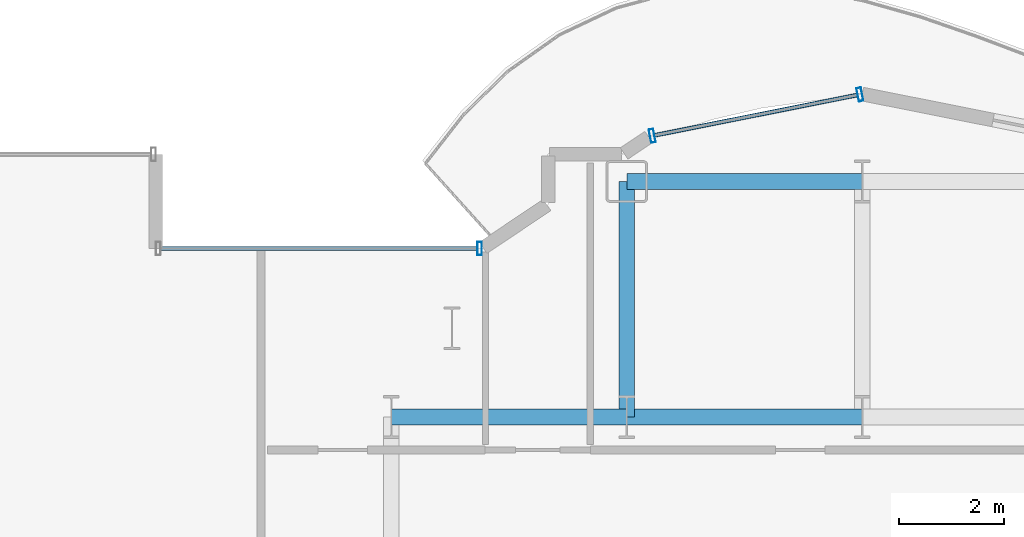
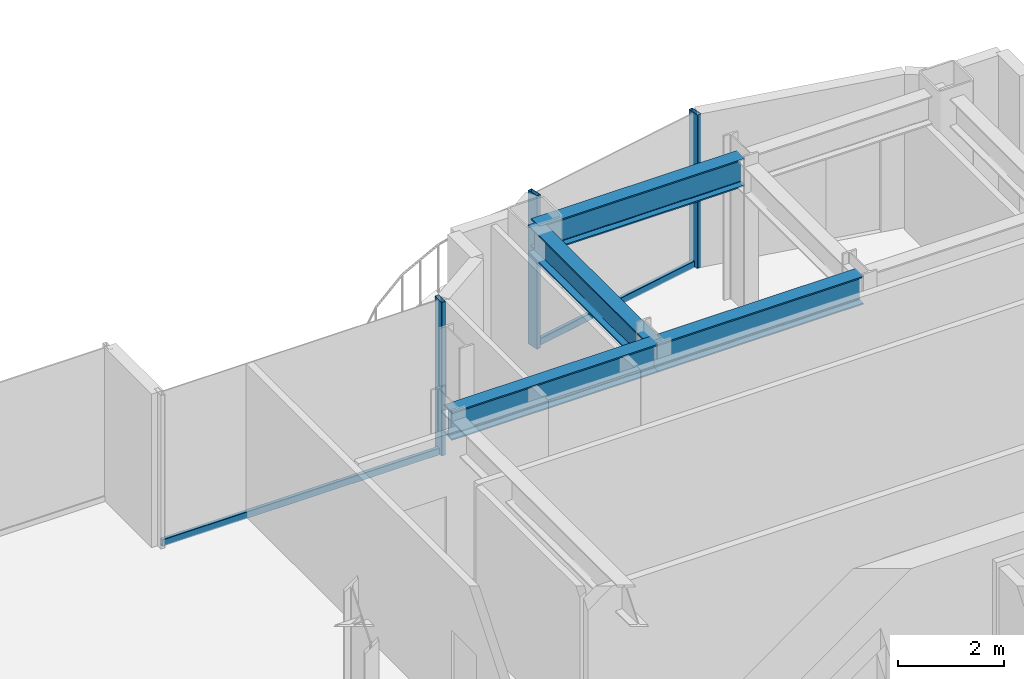
# One storey, part 14 of 26: 5 members, 4 beams, 2 elements without a shape of their own.
"""IFC4 building model written with IfcOpenShell, lengths in metres."""

from ifc_helpers import new_model, si_unit, direction, frame, origin, origin_2d, place, context, subcontext, project, spatial, hollow_rectangle, i_section, extrude, source, transform, mapped, material, layer, layer_set, material_profile, profile_set, type_object, element, aggregate, save


model = new_model("IFC4")

# Units and contexts
model_context = context("Model", 3, precision=1e-05, world=origin(), true_north=direction((0.0, 1.0)))
body_context = subcontext(model_context, "Body", "Model", "MODEL_VIEW")
ifc_project = project(units=[si_unit("LENGTHUNIT", "METRE"), si_unit("AREAUNIT", "SQUARE_METRE"), si_unit("VOLUMEUNIT", "CUBIC_METRE"), si_unit("PLANEANGLEUNIT", "RADIAN"), si_unit("MASSUNIT", "GRAM", prefix="KILO")], contexts=[model_context])

# Site, building, storey
site_placement = place(None, origin())
site = spatial("IfcSite", under=ifc_project, at=site_placement, CompositionType="ELEMENT")
building_placement = place(site_placement, origin())
building = spatial("IfcBuilding", under=site, at=building_placement, Name="Nefas-Gora Pilgrimage Tower", CompositionType="ELEMENT")
storey_placement = place(building_placement, frame((0.0, 0.0, 171.60009765625)))
storey = spatial("IfcBuildingStorey", under=building, at=storey_placement, Name="L42", CompositionType="ELEMENT", Elevation=171.60009765625)

# Beams
ifc_material_1 = material(Name="Steel S355", Category="steel")
ifc_material_profile_1 = material_profile(ifc_material_1, i_section(OverallWidth=0.300048828125, OverallDepth=0.64990234375, WebThickness=0.01611328125, FlangeThickness=0.031005859375, FilletRadius=0.027099609375, at=origin_2d()), Name="HEB 650")
ifc_profile_set_1 = profile_set([ifc_material_profile_1], Name="Steel S355")
beam_type = type_object("IfcBeamType", Name="BM-GIR-HEB650", PredefinedType="BEAM", material=ifc_profile_set_1)
shared_shape_1 = source(origin(), body_context, "Body", "SweptSolid", [
    extrude(i_section(OverallWidth=0.300048828125, OverallDepth=0.64990234375, WebThickness=0.01611328125, FlangeThickness=0.031005859375, FilletRadius=0.027099609375, at=origin_2d()), origin(), (0.0, 0.0, 1.0), 4.5),
])
for number, where, z_axis, x_axis, name in (
    (1, (-11.25, 18.0, 3.224853515625), (1.0, 0.0, 0.0), (0.0, 1.0, 0.0), "L42 G-03 beam"),
    (2, (-6.75, 18.0, 3.224853515625), (0.0, 1.0, 0.0), (-1.0, 0.0, 0.0), "L42 G-03 beam"),
    (3, (-6.75, 18.0, 3.224853515625), (1.0, 0.0, 0.0), (0.0, 1.0, 0.0), "L42 G-03 beam"),
    (4, (-6.75, 22.5, 3.224853515625), (1.0, 0.0, 0.0), (0.0, 1.0, 0.0), "L42 G-03 beam"),
):
    element("IfcBeam", number, at=place(storey_placement, frame(where, z_axis=z_axis, x_axis=x_axis)), inside=storey, type_object=beam_type, Name=name, PredefinedType="BEAM", context=body_context, shape_type="MappedRepresentation", body=[
        mapped(shared_shape_1, transform((0.0, 0.0, 0.0), x_axis=(1.0, 0.0, 0.0), y_axis=(0.0, 1.0, 0.0), z_axis=(0.0, 0.0, 1.0), scale=1.0)),
    ])

# Curtain wall, member
ifc_material_2 = material(Name="Dark ceramic-fritted solar-control aluminium-glass curtain wall", Category="aluminium")
ifc_layer = layer(ifc_material_2, 0.219970703125)
ifc_layer_set = layer_set([ifc_layer], Name="Dark ceramic-fritted solar-control aluminium-glass curtain wall")
curtain_wall_type = type_object("IfcCurtainWallType", Name="CW-SYS-5", PredefinedType="NOTDEFINED", material=ifc_layer_set)
curtain_wall_1_placement = place(storey_placement, origin())
curtain_wall_1 = element("IfcCurtainWall", 5, at=curtain_wall_1_placement, inside=storey, type_object=curtain_wall_type, Name="L42 Unitised Curtain Wall CW5", PredefinedType="NOTDEFINED")
ifc_material_3 = material(Name="Anodised architectural aluminium", Category="aluminium")
ifc_material_profile_2 = material_profile(ifc_material_3, hollow_rectangle(XDim=0.080078125, YDim=0.159912109375, WallThickness=0.00439453125, InnerFilletRadius=0.00439453125, OuterFilletRadius=0.009033203125, at=origin_2d()), Name="ALU TRANSOM 80x160")
ifc_profile_set_2 = profile_set([ifc_material_profile_2], Name="Anodised architectural aluminium")
member_type_1 = type_object("IfcMemberType", Name="CWM-TRN-5", PredefinedType="USERDEFINED", material=ifc_profile_set_2)
shared_shape_2 = source(origin(), body_context, "Body", "SweptSolid", [
    extrude(hollow_rectangle(XDim=0.080078125, YDim=0.159912109375, WallThickness=0.00439453125, InnerFilletRadius=0.00439453125, OuterFilletRadius=0.009033203125, at=origin_2d()), origin(), (0.0, 0.0, 1.0), 6.052001953125),
])
member_1_placement = place(storey_placement, frame((-9.60791015625, 21.219970703125, 0.0498046875), z_axis=(-1.0, 0.0, 0.0), x_axis=(0.0, -1.0, 0.0)))
member_1 = element("IfcMember", 6, at=member_1_placement, type_object=member_type_1, Name="CW5 Spandrel Transom", ObjectType="TRANSOM", PredefinedType="USERDEFINED", context=body_context, shape_type="MappedRepresentation", body=[
    mapped(shared_shape_2, transform((0.0, 0.0, 0.0), x_axis=(1.0, 0.0, 0.0), y_axis=(0.0, 1.0, 0.0), z_axis=(0.0, 0.0, 1.0), scale=1.0)),
])

# Curtain wall, members
curtain_wall_2_placement = place(storey_placement, origin())
curtain_wall_2 = element("IfcCurtainWall", 7, at=curtain_wall_2_placement, inside=storey, type_object=curtain_wall_type, Name="L42 Unitised Curtain Wall CW5", PredefinedType="NOTDEFINED")
shared_shape_3 = source(origin(), body_context, "Body", "SweptSolid", [
    extrude(hollow_rectangle(XDim=0.080078125, YDim=0.159912109375, WallThickness=0.00439453125, InnerFilletRadius=0.00439453125, OuterFilletRadius=0.009033203125, at=origin_2d()), origin(), (0.0, 0.0, 1.0), 3.95654296875),
])
member_2_placement = place(storey_placement, frame((-2.33837890625, 24.15478515625, 0.0498046875), z_axis=(-0.980781880918, -0.195107411605, 0.0), x_axis=(0.195107411605, -0.980781880918, 0.0)))
member_2 = element("IfcMember", 8, at=member_2_placement, type_object=member_type_1, Name="CW5 Spandrel Transom", ObjectType="TRANSOM", PredefinedType="USERDEFINED", context=body_context, shape_type="MappedRepresentation", body=[
    mapped(shared_shape_3, transform((0.0, 0.0, 0.0), x_axis=(1.0, 0.0, 0.0), y_axis=(0.0, 1.0, 0.0), z_axis=(0.0, 0.0, 1.0), scale=1.0)),
])
ifc_material_profile_3 = material_profile(ifc_material_3, hollow_rectangle(XDim=0.090087890625, YDim=0.260009765625, WallThickness=0.006103515625, InnerFilletRadius=0.006103515625, OuterFilletRadius=0.011962890625, at=origin_2d()), Name="ALU MULLION 90x260")
ifc_profile_set_3 = profile_set([ifc_material_profile_3], Name="Anodised architectural aluminium")
member_type_2 = type_object("IfcMemberType", Name="CWM-MUL-5", PredefinedType="MULLION", material=ifc_profile_set_3)
shared_shape_4 = source(origin(), body_context, "Body", "SweptSolid", [
    extrude(hollow_rectangle(XDim=0.090087890625, YDim=0.260009765625, WallThickness=0.006103515625, InnerFilletRadius=0.006103515625, OuterFilletRadius=0.011962890625, at=origin_2d()), origin(), (0.0, 0.0, 1.0), 3.5498046875),
])
member_3_placement = place(storey_placement, frame((-2.294189453125, 24.16357421875, 0.0), z_axis=(0.0, 0.0, 1.0), x_axis=(-0.980782896852, -0.195102304554, 0.0)))
member_3 = element("IfcMember", 9, at=member_3_placement, type_object=member_type_2, Name="CW5 Mullion 1", PredefinedType="MULLION", context=body_context, shape_type="MappedRepresentation", body=[
    mapped(shared_shape_4, transform((0.0, 0.0, 0.0), x_axis=(1.0, 0.0, 0.0), y_axis=(0.0, 1.0, 0.0), z_axis=(0.0, 0.0, 1.0), scale=1.0)),
])
member_4_placement = place(storey_placement, frame((-6.26318359375, 23.3740234375, 0.0), z_axis=(0.0, 0.0, 1.0), x_axis=(-0.980782896852, -0.195102304554, 0.0)))
member_4 = element("IfcMember", 10, at=member_4_placement, type_object=member_type_2, Name="CW5 Mullion 2", PredefinedType="MULLION", context=body_context, shape_type="MappedRepresentation", body=[
    mapped(shared_shape_4, transform((0.0, 0.0, 0.0), x_axis=(1.0, 0.0, 0.0), y_axis=(0.0, 1.0, 0.0), z_axis=(0.0, 0.0, 1.0), scale=1.0)),
])
aggregate(curtain_wall_2, [member_3, member_4, member_2])

# Member
member_5_placement = place(storey_placement, frame((-9.56298828125, 21.219970703125, 0.0), z_axis=(0.0, 0.0, 1.0), x_axis=(-1.0, 0.0, 0.0)))
member_5 = element("IfcMember", 11, at=member_5_placement, type_object=member_type_2, Name="CW5 Mullion 1", PredefinedType="MULLION", context=body_context, shape_type="MappedRepresentation", body=[
    mapped(shared_shape_4, transform((0.0, 0.0, 0.0), x_axis=(1.0, 0.0, 0.0), y_axis=(0.0, 1.0, 0.0), z_axis=(0.0, 0.0, 1.0), scale=1.0)),
])

aggregate(curtain_wall_1, [member_5, member_1])

save(model, "model.ifc")
